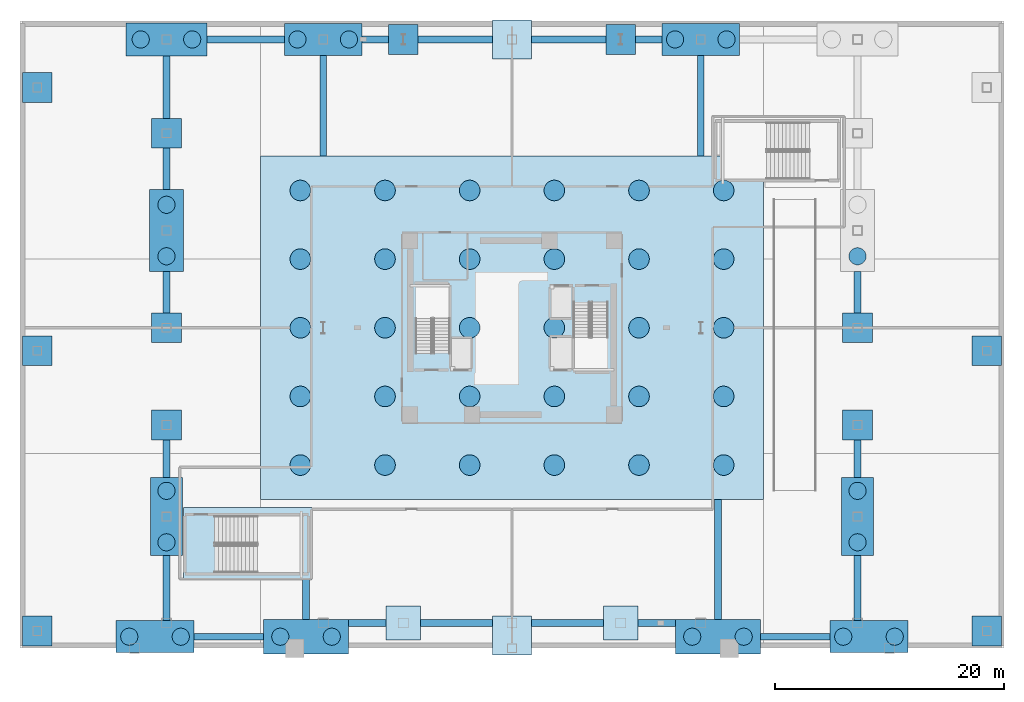
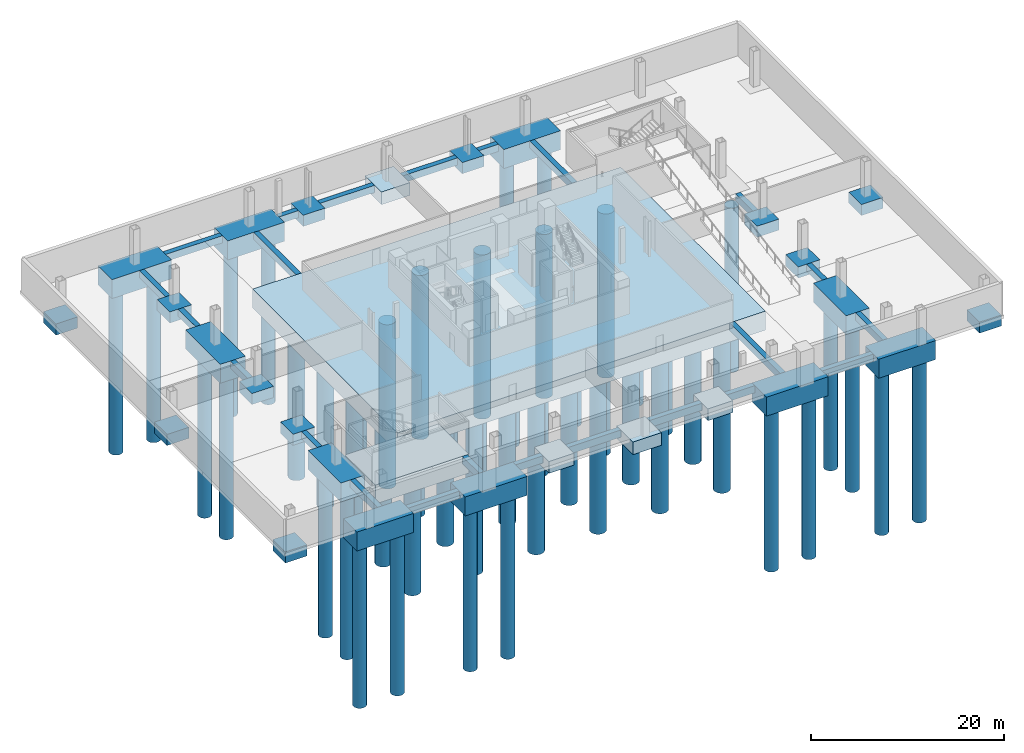
# One storey, part 1 of 15: 51 footings, 51 piles.
"""IFC4 building model written with IfcOpenShell, lengths in metres."""

from ifc_helpers import new_model, si_unit, direction, frame, origin, origin_2d, place, context, subcontext, project, spatial, polyline, rectangle, circle, outline, extrude, material, layer, layer_set, material_profile, profile_set, type_object, element, save


model = new_model("IFC4")

# Units and contexts
model_context = context("Model", 3, precision=1e-05, world=origin(), true_north=direction((0.0, 1.0)))
body_context = subcontext(model_context, "Body", "Model", "MODEL_VIEW")
ifc_project = project(units=[si_unit("LENGTHUNIT", "METRE"), si_unit("AREAUNIT", "SQUARE_METRE"), si_unit("VOLUMEUNIT", "CUBIC_METRE"), si_unit("PLANEANGLEUNIT", "RADIAN"), si_unit("MASSUNIT", "GRAM", prefix="KILO")], contexts=[model_context])

# Site, building, storey
site_placement = place(None, origin())
site = spatial("IfcSite", under=ifc_project, at=site_placement, CompositionType="ELEMENT")
building_placement = place(site_placement, origin())
building = spatial("IfcBuilding", under=site, at=building_placement, Name="Tharavind Bronze Gate", CompositionType="ELEMENT")
storey_placement = place(building_placement, frame((0.0, 0.0, -9.0)))
storey = spatial("IfcBuildingStorey", under=building, at=storey_placement, Name="B02", CompositionType="ELEMENT", Elevation=-9.0)

# Piles
ifc_material = material(Name="Concrete C50/60", Category="concrete")
ifc_material_profile_1 = material_profile(ifc_material, circle(Radius=0.75, at=origin_2d()), Name="PILE1500")
ifc_profile_set_1 = profile_set([ifc_material_profile_1], Name="Concrete C50/60")
pile_type_1 = type_object("IfcPileType", Name="BORED CONCRETE PILE 1500", PredefinedType="BORED", material=ifc_profile_set_1)
for number, where, z_axis, x_axis, name in (
    (1, (-33.449951171875, -27.0, -2.25), (0.0, 0.0, -1.0), (1.0, 0.0, 0.0), "Cap CAP-S1 bored pile A"),
    (2, (-28.949951171875, -27.0, -2.25), (0.0, 0.0, -1.0), (1.0, 0.0, 0.0), "Cap CAP-S1 bored pile B"),
    (3, (-20.25, -27.0, -2.25), (0.0, 0.0, -1.0), (1.0, 0.0, 0.0), "Cap CAP-S2 bored pile A"),
    (4, (-15.75, -27.0, -2.25), (0.0, 0.0, -1.0), (1.0, 0.0, 0.0), "Cap CAP-S2 bored pile B"),
    (5, (15.75, -27.0, -2.25), (0.0, 0.0, -1.0), (1.0, 0.0, 0.0), "Cap CAP-S3 bored pile A"),
    (6, (20.25, -27.0, -2.25), (0.0, 0.0, -1.0), (1.0, 0.0, 0.0), "Cap CAP-S3 bored pile B"),
    (7, (28.949951171875, -27.0, -2.25), (0.0, 0.0, -1.0), (1.0, 0.0, 0.0), "Cap CAP-S4 bored pile A"),
    (8, (33.449951171875, -27.0, -2.25), (0.0, 0.0, -1.0), (1.0, 0.0, 0.0), "Cap CAP-S4 bored pile B"),
    (9, (-32.449951171875, 25.199951171875, -2.25), (0.0, 0.0, -1.0), (1.0, 0.0, 0.0), "Cap CAP-N1 bored pile A"),
    (10, (-27.949951171875, 25.199951171875, -2.25), (0.0, 0.0, -1.0), (1.0, 0.0, 0.0), "Cap CAP-N1 bored pile B"),
    (11, (-18.75, 25.199951171875, -2.25), (0.0, 0.0, -1.0), (1.0, 0.0, 0.0), "Cap CAP-N2 bored pile A"),
    (12, (-14.25, 25.199951171875, -2.25), (0.0, 0.0, -1.0), (1.0, 0.0, 0.0), "Cap CAP-N2 bored pile B"),
    (13, (14.25, 25.199951171875, -2.25), (0.0, 0.0, -1.0), (1.0, 0.0, 0.0), "Cap CAP-N3 bored pile A"),
    (14, (18.75, 25.199951171875, -2.25), (0.0, 0.0, -1.0), (1.0, 0.0, 0.0), "Cap CAP-N3 bored pile B"),
    (15, (-30.199951171875, -18.75, -2.25), (0.0, 0.0, -1.0), (1.0, 0.0, 0.0), "Cap CAP-W1 bored pile A"),
    (16, (-30.199951171875, -14.25, -2.25), (0.0, 0.0, -1.0), (1.0, 0.0, 0.0), "Cap CAP-W1 bored pile B"),
    (17, (-30.199951171875, 6.25, -2.25), (0.0, 0.0, -1.0), (1.0, 0.0, 0.0), "Cap CAP-W2 bored pile A"),
    (18, (-30.199951171875, 10.75, -2.25), (0.0, 0.0, -1.0), (1.0, 0.0, 0.0), "Cap CAP-W2 bored pile B"),
    (19, (30.199951171875, -18.75, -2.25), (0.0, 0.0, -1.0), (1.0, 0.0, 0.0), "Cap CAP-E1 bored pile A"),
    (20, (30.199951171875, -14.25, -2.25), (0.0, 0.0, -1.0), (1.0, 0.0, 0.0), "Cap CAP-E1 bored pile B"),
    (21, (30.199951171875, 6.25, -2.25), (0.0, 0.0, -1.0), (1.0, 0.0, 0.0), "Cap CAP-E2 bored pile A"),
):
    element("IfcPile", number, at=place(storey_placement, frame(where, z_axis=z_axis, x_axis=x_axis)), inside=storey, type_object=pile_type_1, Name=name, PredefinedType="BORED", context=body_context, shape_type="SweptSolid", body=[
        extrude(circle(Radius=0.75, at=origin_2d()), origin(), (0.0, 0.0, 1.0), 20.75),
    ])
ifc_material_profile_2 = material_profile(ifc_material, circle(Radius=0.89990234375, at=origin_2d()), Name="PILE1800")
ifc_profile_set_2 = profile_set([ifc_material_profile_2], Name="Concrete C50/60")
pile_type_2 = type_object("IfcPileType", Name="BORED CONCRETE PILE 1800", PredefinedType="BORED", material=ifc_profile_set_2)
for number, where, z_axis, x_axis, name in (
    (22, (-18.5, -12.0, -2.25), (0.0, 0.0, -1.0), (1.0, 0.0, 0.0), "Mat bored pile 01"),
    (23, (-18.5, -6.0, -2.25), (0.0, 0.0, -1.0), (1.0, 0.0, 0.0), "Mat bored pile 02"),
    (24, (-18.5, 0.0, -2.25), (0.0, 0.0, -1.0), (1.0, 0.0, 0.0), "Mat bored pile 03"),
    (25, (-18.5, 6.0, -2.25), (0.0, 0.0, -1.0), (1.0, 0.0, 0.0), "Mat bored pile 04"),
    (26, (-18.5, 12.0, -2.25), (0.0, 0.0, -1.0), (1.0, 0.0, 0.0), "Mat bored pile 05"),
    (27, (-11.10009765625, -12.0, -2.25), (0.0, 0.0, -1.0), (1.0, 0.0, 0.0), "Mat bored pile 06"),
    (28, (-11.10009765625, -6.0, -2.25), (0.0, 0.0, -1.0), (1.0, 0.0, 0.0), "Mat bored pile 07"),
    (29, (-11.10009765625, 0.0, -2.25), (0.0, 0.0, -1.0), (1.0, 0.0, 0.0), "Mat bored pile 08"),
    (30, (-11.10009765625, 6.0, -2.25), (0.0, 0.0, -1.0), (1.0, 0.0, 0.0), "Mat bored pile 09"),
    (31, (-11.10009765625, 12.0, -2.25), (0.0, 0.0, -1.0), (1.0, 0.0, 0.0), "Mat bored pile 10"),
    (32, (-3.699951171875, -12.0, -2.25), (0.0, 0.0, -1.0), (1.0, 0.0, 0.0), "Mat bored pile 11"),
    (33, (-3.699951171875, -6.0, -2.25), (0.0, 0.0, -1.0), (1.0, 0.0, 0.0), "Mat bored pile 12"),
    (34, (-3.699951171875, 0.0, -2.25), (0.0, 0.0, -1.0), (1.0, 0.0, 0.0), "Mat bored pile 13"),
    (35, (-3.699951171875, 6.0, -2.25), (0.0, 0.0, -1.0), (1.0, 0.0, 0.0), "Mat bored pile 14"),
    (36, (-3.699951171875, 12.0, -2.25), (0.0, 0.0, -1.0), (1.0, 0.0, 0.0), "Mat bored pile 15"),
    (37, (3.699951171875, -12.0, -2.25), (0.0, 0.0, -1.0), (1.0, 0.0, 0.0), "Mat bored pile 16"),
    (38, (3.699951171875, -6.0, -2.25), (0.0, 0.0, -1.0), (1.0, 0.0, 0.0), "Mat bored pile 17"),
    (39, (3.699951171875, 0.0, -2.25), (0.0, 0.0, -1.0), (1.0, 0.0, 0.0), "Mat bored pile 18"),
    (40, (3.699951171875, 6.0, -2.25), (0.0, 0.0, -1.0), (1.0, 0.0, 0.0), "Mat bored pile 19"),
    (41, (3.699951171875, 12.0, -2.25), (0.0, 0.0, -1.0), (1.0, 0.0, 0.0), "Mat bored pile 20"),
    (42, (11.10009765625, -12.0, -2.25), (0.0, 0.0, -1.0), (1.0, 0.0, 0.0), "Mat bored pile 21"),
    (43, (11.10009765625, -6.0, -2.25), (0.0, 0.0, -1.0), (1.0, 0.0, 0.0), "Mat bored pile 22"),
    (44, (11.10009765625, 0.0, -2.25), (0.0, 0.0, -1.0), (1.0, 0.0, 0.0), "Mat bored pile 23"),
    (45, (11.10009765625, 6.0, -2.25), (0.0, 0.0, -1.0), (1.0, 0.0, 0.0), "Mat bored pile 24"),
    (46, (11.10009765625, 12.0, -2.25), (0.0, 0.0, -1.0), (1.0, 0.0, 0.0), "Mat bored pile 25"),
    (47, (18.5, -12.0, -2.25), (0.0, 0.0, -1.0), (1.0, 0.0, 0.0), "Mat bored pile 26"),
    (48, (18.5, -6.0, -2.25), (0.0, 0.0, -1.0), (1.0, 0.0, 0.0), "Mat bored pile 27"),
    (49, (18.5, 0.0, -2.25), (0.0, 0.0, -1.0), (1.0, 0.0, 0.0), "Mat bored pile 28"),
    (50, (18.5, 6.0, -2.25), (0.0, 0.0, -1.0), (1.0, 0.0, 0.0), "Mat bored pile 29"),
    (51, (18.5, 12.0, -2.25), (0.0, 0.0, -1.0), (1.0, 0.0, 0.0), "Mat bored pile 30"),
):
    element("IfcPile", number, at=place(storey_placement, frame(where, z_axis=z_axis, x_axis=x_axis)), inside=storey, type_object=pile_type_2, Name=name, PredefinedType="BORED", context=body_context, shape_type="SweptSolid", body=[
        extrude(circle(Radius=0.89990234375, at=origin_2d()), origin(), (0.0, 0.0, 1.0), 20.75),
    ])

# Footings
ifc_layer_1 = layer(ifc_material, 2.39990234375)
ifc_layer_set_1 = layer_set([ifc_layer_1], Name="Concrete C50/60")
footing_type_1 = type_object("IfcFootingType", Name="BORED PILE CAP 2800X6800X2400", PredefinedType="PILE_CAP", material=ifc_layer_set_1)
footing_1_placement = place(storey_placement, frame((0.0, 0.0, -2.39990234375)))
element("IfcFooting", 52, at=footing_1_placement, inside=storey, type_object=footing_type_1, Name="Perimeter bored pile cap CAP-W1", PredefinedType="PILE_CAP", context=body_context, shape_type="SweptSolid", body=[
    extrude(outline(polyline([(-31.60009765625, -19.89990234375), (-28.800048828125, -19.89990234375), (-28.800048828125, -13.10009765625), (-31.60009765625, -13.10009765625), (-31.60009765625, -19.89990234375)])), origin(), (0.0, 0.0, 1.0), 2.39990234375),
])
footing_2_placement = place(storey_placement, frame((0.0, 0.0, -2.39990234375)))
element("IfcFooting", 53, at=footing_2_placement, inside=storey, type_object=footing_type_1, Name="Perimeter bored pile cap CAP-E1", PredefinedType="PILE_CAP", context=body_context, shape_type="SweptSolid", body=[
    extrude(outline(polyline([(28.800048828125, -19.89990234375), (31.60009765625, -19.89990234375), (31.60009765625, -13.10009765625), (28.800048828125, -13.10009765625), (28.800048828125, -19.89990234375)])), origin(), (0.0, 0.0, 1.0), 2.39990234375),
])
ifc_layer_2 = layer(ifc_material, 2.39990234375)
ifc_layer_set_2 = layer_set([ifc_layer_2], Name="Concrete C50/60")
footing_type_2 = type_object("IfcFootingType", Name="BORED PILE CAP 3000X7200X2400", PredefinedType="PILE_CAP", material=ifc_layer_set_2)
footing_3_placement = place(storey_placement, frame((0.0, 0.0, -2.39990234375)))
element("IfcFooting", 54, at=footing_3_placement, inside=storey, type_object=footing_type_2, Name="Perimeter bored pile cap CAP-W2", PredefinedType="PILE_CAP", context=body_context, shape_type="SweptSolid", body=[
    extrude(outline(polyline([(-31.699951171875, 4.89990234375), (-28.699951171875, 4.89990234375), (-28.699951171875, 12.10009765625), (-31.699951171875, 12.10009765625), (-31.699951171875, 4.89990234375)])), origin(), (0.0, 0.0, 1.0), 2.39990234375),
])
ifc_layer_3 = layer(ifc_material, 2.39990234375)
ifc_layer_set_3 = layer_set([ifc_layer_3], Name="Concrete C50/60")
footing_type_3 = type_object("IfcFootingType", Name="BORED PILE CAP 6800X2800X2400", PredefinedType="PILE_CAP", material=ifc_layer_set_3)
footing_4_placement = place(storey_placement, frame((0.0, 0.0, -2.39990234375)))
element("IfcFooting", 55, at=footing_4_placement, inside=storey, type_object=footing_type_3, Name="Perimeter bored pile cap CAP-S1", PredefinedType="PILE_CAP", context=body_context, shape_type="SweptSolid", body=[
    extrude(outline(polyline([(-34.60009765625, -28.39990234375), (-27.800048828125, -28.39990234375), (-27.800048828125, -25.60009765625), (-34.60009765625, -25.60009765625), (-34.60009765625, -28.39990234375)])), origin(), (0.0, 0.0, 1.0), 2.39990234375),
])
footing_5_placement = place(storey_placement, frame((0.0, 0.0, -2.39990234375)))
element("IfcFooting", 56, at=footing_5_placement, inside=storey, type_object=footing_type_3, Name="Perimeter bored pile cap CAP-S4", PredefinedType="PILE_CAP", context=body_context, shape_type="SweptSolid", body=[
    extrude(outline(polyline([(27.800048828125, -28.39990234375), (34.60009765625, -28.39990234375), (34.60009765625, -25.60009765625), (27.800048828125, -25.60009765625), (27.800048828125, -28.39990234375)])), origin(), (0.0, 0.0, 1.0), 2.39990234375),
])
footing_6_placement = place(storey_placement, frame((0.0, 0.0, -2.39990234375)))
element("IfcFooting", 57, at=footing_6_placement, inside=storey, type_object=footing_type_3, Name="Perimeter bored pile cap CAP-N2", PredefinedType="PILE_CAP", context=body_context, shape_type="SweptSolid", body=[
    extrude(outline(polyline([(-19.89990234375, 23.800048828125), (-13.10009765625, 23.800048828125), (-13.10009765625, 26.60009765625), (-19.89990234375, 26.60009765625), (-19.89990234375, 23.800048828125)])), origin(), (0.0, 0.0, 1.0), 2.39990234375),
])
footing_7_placement = place(storey_placement, frame((0.0, 0.0, -2.39990234375)))
element("IfcFooting", 58, at=footing_7_placement, inside=storey, type_object=footing_type_3, Name="Perimeter bored pile cap CAP-N3", PredefinedType="PILE_CAP", context=body_context, shape_type="SweptSolid", body=[
    extrude(outline(polyline([(13.10009765625, 23.800048828125), (19.89990234375, 23.800048828125), (19.89990234375, 26.60009765625), (13.10009765625, 26.60009765625), (13.10009765625, 23.800048828125)])), origin(), (0.0, 0.0, 1.0), 2.39990234375),
])
ifc_layer_4 = layer(ifc_material, 2.39990234375)
ifc_layer_set_4 = layer_set([ifc_layer_4], Name="Concrete C50/60")
footing_type_4 = type_object("IfcFootingType", Name="BORED PILE CAP 7100X2900X2400", PredefinedType="PILE_CAP", material=ifc_layer_set_4)
footing_8_placement = place(storey_placement, frame((0.0, 0.0, -2.39990234375)))
element("IfcFooting", 59, at=footing_8_placement, inside=storey, type_object=footing_type_4, Name="Perimeter bored pile cap CAP-N1", PredefinedType="PILE_CAP", context=body_context, shape_type="SweptSolid", body=[
    extrude(outline(polyline([(-33.75, 23.75), (-26.64990234375, 23.75), (-26.64990234375, 26.64990234375), (-33.75, 26.64990234375), (-33.75, 23.75)])), origin(), (0.0, 0.0, 1.0), 2.39990234375),
])
ifc_layer_5 = layer(ifc_material, 2.39990234375)
ifc_layer_set_5 = layer_set([ifc_layer_5], Name="Concrete C50/60")
footing_type_5 = type_object("IfcFootingType", Name="BORED PILE CAP 7400X3000X2400", PredefinedType="PILE_CAP", material=ifc_layer_set_5)
footing_9_placement = place(storey_placement, frame((0.0, 0.0, -2.39990234375)))
element("IfcFooting", 60, at=footing_9_placement, inside=storey, type_object=footing_type_5, Name="Perimeter bored pile cap CAP-S2", PredefinedType="PILE_CAP", context=body_context, shape_type="SweptSolid", body=[
    extrude(outline(polyline([(-21.699951171875, -28.5), (-14.300048828125, -28.5), (-14.300048828125, -25.5), (-21.699951171875, -25.5), (-21.699951171875, -28.5)])), origin(), (0.0, 0.0, 1.0), 2.39990234375),
])
footing_10_placement = place(storey_placement, frame((0.0, 0.0, -2.39990234375)))
element("IfcFooting", 61, at=footing_10_placement, inside=storey, type_object=footing_type_5, Name="Perimeter bored pile cap CAP-S3", PredefinedType="PILE_CAP", context=body_context, shape_type="SweptSolid", body=[
    extrude(outline(polyline([(14.300048828125, -28.5), (21.699951171875, -28.5), (21.699951171875, -25.5), (14.300048828125, -25.5), (14.300048828125, -28.5)])), origin(), (0.0, 0.0, 1.0), 2.39990234375),
])
ifc_material_profile_3 = material_profile(ifc_material, rectangle(XDim=0.60009765625, YDim=0.89990234375, at=origin_2d()), Name="RCBM600X900")
ifc_profile_set_3 = profile_set([ifc_material_profile_3], Name="Concrete C50/60")
footing_type_6 = type_object("IfcFootingType", Name="FOUNDATION GRADE BEAM 600X900", PredefinedType="FOOTING_BEAM", material=ifc_profile_set_3)
footing_11_placement = place(storey_placement, frame((-27.800048828125, -27.0, -0.449951171875), z_axis=(1.0, 0.0, 0.0), x_axis=(0.0, 1.0, 0.0)))
element("IfcFooting", 62, at=footing_11_placement, inside=storey, type_object=footing_type_6, Name="Foundation grade beam GB-S1", PredefinedType="FOOTING_BEAM", context=body_context, shape_type="SweptSolid", body=[
    extrude(rectangle(XDim=0.60009765625, YDim=0.89990234375, at=origin_2d()), origin(), (0.0, 0.0, 1.0), 6.10009765625),
])
footing_12_placement = place(storey_placement, frame((-14.300048828125, -25.800048828125, -0.449951171875), z_axis=(1.0, 0.0, 0.0), x_axis=(0.0, 1.0, 0.0)))
element("IfcFooting", 63, at=footing_12_placement, inside=storey, type_object=footing_type_6, Name="Foundation grade beam GB-S2", PredefinedType="FOOTING_BEAM", context=body_context, shape_type="SweptSolid", body=[
    extrude(rectangle(XDim=0.60009765625, YDim=0.89990234375, at=origin_2d()), origin(), (0.0, 0.0, 1.0), 3.300048828125),
])
for number, where, z_axis, x_axis, name in (
    (64, (-8.0, -25.800048828125, -0.449951171875), (1.0, 0.0, 0.0), (0.0, 1.0, 0.0), "Foundation grade beam GB-S3"),
    (65, (1.699951171875, -25.800048828125, -0.449951171875), (1.0, 0.0, 0.0), (0.0, 1.0, 0.0), "Foundation grade beam GB-S4"),
):
    element("IfcFooting", number, at=place(storey_placement, frame(where, z_axis=z_axis, x_axis=x_axis)), inside=storey, type_object=footing_type_6, Name=name, PredefinedType="FOOTING_BEAM", context=body_context, shape_type="SweptSolid", body=[
        extrude(rectangle(XDim=0.60009765625, YDim=0.89990234375, at=origin_2d()), origin(), (0.0, 0.0, 1.0), 6.300048828125),
    ])
footing_13_placement = place(storey_placement, frame((11.0, -25.800048828125, -0.449951171875), z_axis=(1.0, 0.0, 0.0), x_axis=(0.0, 1.0, 0.0)))
element("IfcFooting", 66, at=footing_13_placement, inside=storey, type_object=footing_type_6, Name="Foundation grade beam GB-S5", PredefinedType="FOOTING_BEAM", context=body_context, shape_type="SweptSolid", body=[
    extrude(rectangle(XDim=0.60009765625, YDim=0.89990234375, at=origin_2d()), origin(), (0.0, 0.0, 1.0), 3.300048828125),
])
footing_14_placement = place(storey_placement, frame((21.699951171875, -27.0, -0.449951171875), z_axis=(1.0, 0.0, 0.0), x_axis=(0.0, 1.0, 0.0)))
element("IfcFooting", 67, at=footing_14_placement, inside=storey, type_object=footing_type_6, Name="Foundation grade beam GB-S6", PredefinedType="FOOTING_BEAM", context=body_context, shape_type="SweptSolid", body=[
    extrude(rectangle(XDim=0.60009765625, YDim=0.89990234375, at=origin_2d()), origin(), (0.0, 0.0, 1.0), 6.10009765625),
])
footing_15_placement = place(storey_placement, frame((-26.64990234375, 25.199951171875, -0.449951171875), z_axis=(1.0, 0.0, 0.0), x_axis=(0.0, 1.0, 0.0)))
element("IfcFooting", 68, at=footing_15_placement, inside=storey, type_object=footing_type_6, Name="Foundation grade beam GB-N1", PredefinedType="FOOTING_BEAM", context=body_context, shape_type="SweptSolid", body=[
    extrude(rectangle(XDim=0.60009765625, YDim=0.89990234375, at=origin_2d()), origin(), (0.0, 0.0, 1.0), 6.75),
])
footing_16_placement = place(storey_placement, frame((-13.10009765625, 25.199951171875, -0.449951171875), z_axis=(1.0, 0.0, 0.0), x_axis=(0.0, 1.0, 0.0)))
element("IfcFooting", 69, at=footing_16_placement, inside=storey, type_object=footing_type_6, Name="Foundation grade beam GB-N2", PredefinedType="FOOTING_BEAM", context=body_context, shape_type="SweptSolid", body=[
    extrude(rectangle(XDim=0.60009765625, YDim=0.89990234375, at=origin_2d()), origin(), (0.0, 0.0, 1.0), 2.300048828125),
])
for number, where, z_axis, x_axis, name in (
    (70, (-8.199951171875, 25.199951171875, -0.449951171875), (1.0, 0.0, 0.0), (0.0, 1.0, 0.0), "Foundation grade beam GB-N3"),
    (71, (1.699951171875, 25.199951171875, -0.449951171875), (1.0, 0.0, 0.0), (0.0, 1.0, 0.0), "Foundation grade beam GB-N4"),
):
    element("IfcFooting", number, at=place(storey_placement, frame(where, z_axis=z_axis, x_axis=x_axis)), inside=storey, type_object=footing_type_6, Name=name, PredefinedType="FOOTING_BEAM", context=body_context, shape_type="SweptSolid", body=[
        extrude(rectangle(XDim=0.60009765625, YDim=0.89990234375, at=origin_2d()), origin(), (0.0, 0.0, 1.0), 6.5),
    ])
footing_17_placement = place(storey_placement, frame((10.800048828125, 25.199951171875, -0.449951171875), z_axis=(1.0, 0.0, 0.0), x_axis=(0.0, 1.0, 0.0)))
element("IfcFooting", 72, at=footing_17_placement, inside=storey, type_object=footing_type_6, Name="Foundation grade beam GB-N5", PredefinedType="FOOTING_BEAM", context=body_context, shape_type="SweptSolid", body=[
    extrude(rectangle(XDim=0.60009765625, YDim=0.89990234375, at=origin_2d()), origin(), (0.0, 0.0, 1.0), 2.300048828125),
])
footing_18_placement = place(storey_placement, frame((-30.199951171875, -25.60009765625, -0.449951171875), z_axis=(0.0, 1.0, 0.0), x_axis=(-1.0, 0.0, 0.0)))
element("IfcFooting", 73, at=footing_18_placement, inside=storey, type_object=footing_type_6, Name="Foundation grade beam GB-W1", PredefinedType="FOOTING_BEAM", context=body_context, shape_type="SweptSolid", body=[
    extrude(rectangle(XDim=0.60009765625, YDim=0.89990234375, at=origin_2d()), origin(), (0.0, 0.0, 1.0), 5.7001953125),
])
footing_19_placement = place(storey_placement, frame((-30.199951171875, -13.10009765625, -0.449951171875), z_axis=(0.0, 1.0, 0.0), x_axis=(-1.0, 0.0, 0.0)))
element("IfcFooting", 74, at=footing_19_placement, inside=storey, type_object=footing_type_6, Name="Foundation grade beam GB-W2", PredefinedType="FOOTING_BEAM", context=body_context, shape_type="SweptSolid", body=[
    extrude(rectangle(XDim=0.60009765625, YDim=0.89990234375, at=origin_2d()), origin(), (0.0, 0.0, 1.0), 3.300048828125),
])
for number, where, z_axis, x_axis, name in (
    (75, (-30.199951171875, 1.300048828125, -0.449951171875), (0.0, 1.0, 0.0), (-1.0, 0.0, 0.0), "Foundation grade beam GB-W3"),
    (76, (-30.199951171875, 12.10009765625, -0.449951171875), (0.0, 1.0, 0.0), (-1.0, 0.0, 0.0), "Foundation grade beam GB-W4A"),
):
    element("IfcFooting", number, at=place(storey_placement, frame(where, z_axis=z_axis, x_axis=x_axis)), inside=storey, type_object=footing_type_6, Name=name, PredefinedType="FOOTING_BEAM", context=body_context, shape_type="SweptSolid", body=[
        extrude(rectangle(XDim=0.60009765625, YDim=0.89990234375, at=origin_2d()), origin(), (0.0, 0.0, 1.0), 3.599853515625),
    ])
footing_20_placement = place(storey_placement, frame((-30.199951171875, 18.300048828125, -0.449951171875), z_axis=(0.0, 1.0, 0.0), x_axis=(-1.0, 0.0, 0.0)))
element("IfcFooting", 77, at=footing_20_placement, inside=storey, type_object=footing_type_6, Name="Foundation grade beam GB-W4B", PredefinedType="FOOTING_BEAM", context=body_context, shape_type="SweptSolid", body=[
    extrude(rectangle(XDim=0.60009765625, YDim=0.89990234375, at=origin_2d()), origin(), (0.0, 0.0, 1.0), 5.449951171875),
])
footing_21_placement = place(storey_placement, frame((30.199951171875, -25.60009765625, -0.449951171875), z_axis=(0.0, 1.0, 0.0), x_axis=(-1.0, 0.0, 0.0)))
element("IfcFooting", 78, at=footing_21_placement, inside=storey, type_object=footing_type_6, Name="Foundation grade beam GB-E1", PredefinedType="FOOTING_BEAM", context=body_context, shape_type="SweptSolid", body=[
    extrude(rectangle(XDim=0.60009765625, YDim=0.89990234375, at=origin_2d()), origin(), (0.0, 0.0, 1.0), 5.7001953125),
])
footing_22_placement = place(storey_placement, frame((30.199951171875, -13.10009765625, -0.449951171875), z_axis=(0.0, 1.0, 0.0), x_axis=(-1.0, 0.0, 0.0)))
element("IfcFooting", 79, at=footing_22_placement, inside=storey, type_object=footing_type_6, Name="Foundation grade beam GB-E2", PredefinedType="FOOTING_BEAM", context=body_context, shape_type="SweptSolid", body=[
    extrude(rectangle(XDim=0.60009765625, YDim=0.89990234375, at=origin_2d()), origin(), (0.0, 0.0, 1.0), 3.300048828125),
])
footing_23_placement = place(storey_placement, frame((30.199951171875, 1.300048828125, -0.449951171875), z_axis=(0.0, 1.0, 0.0), x_axis=(-1.0, 0.0, 0.0)))
element("IfcFooting", 80, at=footing_23_placement, inside=storey, type_object=footing_type_6, Name="Foundation grade beam GB-E3", PredefinedType="FOOTING_BEAM", context=body_context, shape_type="SweptSolid", body=[
    extrude(rectangle(XDim=0.60009765625, YDim=0.89990234375, at=origin_2d()), origin(), (0.0, 0.0, 1.0), 3.599853515625),
])
footing_24_placement = place(storey_placement, frame((-18.0, -25.5, -0.449951171875), z_axis=(0.0, 1.0, 0.0), x_axis=(-1.0, 0.0, 0.0)))
element("IfcFooting", 81, at=footing_24_placement, inside=storey, type_object=footing_type_6, Name="Foundation grade beam GB-RS2", PredefinedType="FOOTING_BEAM", context=body_context, shape_type="SweptSolid", body=[
    extrude(rectangle(XDim=0.60009765625, YDim=0.89990234375, at=origin_2d()), origin(), (0.0, 0.0, 1.0), 3.5),
])
footing_25_placement = place(storey_placement, frame((18.0, -25.5, -0.449951171875), z_axis=(0.0, 1.0, 0.0), x_axis=(-1.0, 0.0, 0.0)))
element("IfcFooting", 82, at=footing_25_placement, inside=storey, type_object=footing_type_6, Name="Foundation grade beam GB-RS3", PredefinedType="FOOTING_BEAM", context=body_context, shape_type="SweptSolid", body=[
    extrude(rectangle(XDim=0.60009765625, YDim=0.89990234375, at=origin_2d()), origin(), (0.0, 0.0, 1.0), 10.5),
])
for number, where, z_axis, x_axis, name in (
    (83, (-16.5, 15.0, -0.449951171875), (0.0, 1.0, 0.0), (-1.0, 0.0, 0.0), "Foundation grade beam GB-RN2"),
    (84, (16.5, 15.0, -0.449951171875), (0.0, 1.0, 0.0), (-1.0, 0.0, 0.0), "Foundation grade beam GB-RN3"),
):
    element("IfcFooting", number, at=place(storey_placement, frame(where, z_axis=z_axis, x_axis=x_axis)), inside=storey, type_object=footing_type_6, Name=name, PredefinedType="FOOTING_BEAM", context=body_context, shape_type="SweptSolid", body=[
        extrude(rectangle(XDim=0.60009765625, YDim=0.89990234375, at=origin_2d()), origin(), (0.0, 0.0, 1.0), 8.800048828125),
    ])
ifc_layer_6 = layer(ifc_material, 1.39990234375)
ifc_layer_set_6 = layer_set([ifc_layer_6], Name="Concrete C50/60")
footing_type_7 = type_object("IfcFootingType", Name="PAD FOOTING 2600X2600X1400", PredefinedType="PAD_FOOTING", material=ifc_layer_set_6)
footing_26_placement = place(storey_placement, frame((0.0, 0.0, -1.39990234375)))
element("IfcFooting", 85, at=footing_26_placement, inside=storey, type_object=footing_type_7, Name="Podium pad footing PAD-NL", PredefinedType="PAD_FOOTING", context=body_context, shape_type="SweptSolid", body=[
    extrude(outline(polyline([(-10.800048828125, 23.89990234375), (-8.199951171875, 23.89990234375), (-8.199951171875, 26.5), (-10.800048828125, 26.5), (-10.800048828125, 23.89990234375)])), origin(), (0.0, 0.0, 1.0), 1.39990234375),
])
footing_27_placement = place(storey_placement, frame((0.0, 0.0, -1.39990234375)))
element("IfcFooting", 86, at=footing_27_placement, inside=storey, type_object=footing_type_7, Name="Podium pad footing PAD-NR", PredefinedType="PAD_FOOTING", context=body_context, shape_type="SweptSolid", body=[
    extrude(outline(polyline([(8.199951171875, 23.89990234375), (10.800048828125, 23.89990234375), (10.800048828125, 26.5), (8.199951171875, 26.5), (8.199951171875, 23.89990234375)])), origin(), (0.0, 0.0, 1.0), 1.39990234375),
])
footing_28_placement = place(storey_placement, frame((0.0, 0.0, -1.39990234375)))
element("IfcFooting", 87, at=footing_28_placement, inside=storey, type_object=footing_type_7, Name="Podium pad footing PAD-WM", PredefinedType="PAD_FOOTING", context=body_context, shape_type="SweptSolid", body=[
    extrude(outline(polyline([(-31.5, -9.800048828125), (-28.89990234375, -9.800048828125), (-28.89990234375, -7.199951171875), (-31.5, -7.199951171875), (-31.5, -9.800048828125)])), origin(), (0.0, 0.0, 1.0), 1.39990234375),
])
footing_29_placement = place(storey_placement, frame((0.0, 0.0, -1.39990234375)))
element("IfcFooting", 88, at=footing_29_placement, inside=storey, type_object=footing_type_7, Name="Podium pad footing PAD-W0", PredefinedType="PAD_FOOTING", context=body_context, shape_type="SweptSolid", body=[
    extrude(outline(polyline([(-31.5, -1.300048828125), (-28.89990234375, -1.300048828125), (-28.89990234375, 1.300048828125), (-31.5, 1.300048828125), (-31.5, -1.300048828125)])), origin(), (0.0, 0.0, 1.0), 1.39990234375),
])
footing_30_placement = place(storey_placement, frame((0.0, 0.0, -1.39990234375)))
element("IfcFooting", 89, at=footing_30_placement, inside=storey, type_object=footing_type_7, Name="Podium pad footing PAD-EM", PredefinedType="PAD_FOOTING", context=body_context, shape_type="SweptSolid", body=[
    extrude(outline(polyline([(28.89990234375, -9.800048828125), (31.5, -9.800048828125), (31.5, -7.199951171875), (28.89990234375, -7.199951171875), (28.89990234375, -9.800048828125)])), origin(), (0.0, 0.0, 1.0), 1.39990234375),
])
footing_31_placement = place(storey_placement, frame((0.0, 0.0, -1.39990234375)))
element("IfcFooting", 90, at=footing_31_placement, inside=storey, type_object=footing_type_7, Name="Podium pad footing PAD-E0", PredefinedType="PAD_FOOTING", context=body_context, shape_type="SweptSolid", body=[
    extrude(outline(polyline([(28.89990234375, -1.300048828125), (31.5, -1.300048828125), (31.5, 1.300048828125), (28.89990234375, 1.300048828125), (28.89990234375, -1.300048828125)])), origin(), (0.0, 0.0, 1.0), 1.39990234375),
])
footing_32_placement = place(storey_placement, frame((0.0, 0.0, -1.39990234375)))
element("IfcFooting", 91, at=footing_32_placement, inside=storey, type_object=footing_type_7, Name="Podium pad footing PAD-WN", PredefinedType="PAD_FOOTING", context=body_context, shape_type="SweptSolid", body=[
    extrude(outline(polyline([(-31.5, 15.699951171875), (-28.89990234375, 15.699951171875), (-28.89990234375, 18.300048828125), (-31.5, 18.300048828125), (-31.5, 15.699951171875)])), origin(), (0.0, 0.0, 1.0), 1.39990234375),
])
footing_33_placement = place(storey_placement, frame((0.0, 0.0, -1.39990234375)))
element("IfcFooting", 92, at=footing_33_placement, inside=storey, type_object=footing_type_7, Name="Podium pad footing PAD-BW1", PredefinedType="PAD_FOOTING", context=body_context, shape_type="SweptSolid", body=[
    extrude(outline(polyline([(-42.800048828125, -27.800048828125), (-40.199951171875, -27.800048828125), (-40.199951171875, -25.199951171875), (-42.800048828125, -25.199951171875), (-42.800048828125, -27.800048828125)])), origin(), (0.0, 0.0, 1.0), 1.39990234375),
])
footing_34_placement = place(storey_placement, frame((0.0, 0.0, -1.39990234375)))
element("IfcFooting", 93, at=footing_34_placement, inside=storey, type_object=footing_type_7, Name="Podium pad footing PAD-BW2", PredefinedType="PAD_FOOTING", context=body_context, shape_type="SweptSolid", body=[
    extrude(outline(polyline([(-42.800048828125, -3.300048828125), (-40.199951171875, -3.300048828125), (-40.199951171875, -0.699951171875), (-42.800048828125, -0.699951171875), (-42.800048828125, -3.300048828125)])), origin(), (0.0, 0.0, 1.0), 1.39990234375),
])
footing_35_placement = place(storey_placement, frame((0.0, 0.0, -1.39990234375)))
element("IfcFooting", 94, at=footing_35_placement, inside=storey, type_object=footing_type_7, Name="Podium pad footing PAD-BW3", PredefinedType="PAD_FOOTING", context=body_context, shape_type="SweptSolid", body=[
    extrude(outline(polyline([(-42.800048828125, 19.699951171875), (-40.199951171875, 19.699951171875), (-40.199951171875, 22.300048828125), (-42.800048828125, 22.300048828125), (-42.800048828125, 19.699951171875)])), origin(), (0.0, 0.0, 1.0), 1.39990234375),
])
footing_36_placement = place(storey_placement, frame((0.0, 0.0, -1.39990234375)))
element("IfcFooting", 95, at=footing_36_placement, inside=storey, type_object=footing_type_7, Name="Podium pad footing PAD-BE1", PredefinedType="PAD_FOOTING", context=body_context, shape_type="SweptSolid", body=[
    extrude(outline(polyline([(40.199951171875, -27.800048828125), (42.800048828125, -27.800048828125), (42.800048828125, -25.199951171875), (40.199951171875, -25.199951171875), (40.199951171875, -27.800048828125)])), origin(), (0.0, 0.0, 1.0), 1.39990234375),
])
footing_37_placement = place(storey_placement, frame((0.0, 0.0, -1.39990234375)))
element("IfcFooting", 96, at=footing_37_placement, inside=storey, type_object=footing_type_7, Name="Podium pad footing PAD-BE2", PredefinedType="PAD_FOOTING", context=body_context, shape_type="SweptSolid", body=[
    extrude(outline(polyline([(40.199951171875, -3.300048828125), (42.800048828125, -3.300048828125), (42.800048828125, -0.699951171875), (40.199951171875, -0.699951171875), (40.199951171875, -3.300048828125)])), origin(), (0.0, 0.0, 1.0), 1.39990234375),
])
ifc_layer_7 = layer(ifc_material, 1.5)
ifc_layer_set_7 = layer_set([ifc_layer_7], Name="Concrete C50/60")
footing_type_8 = type_object("IfcFootingType", Name="PAD FOOTING 3000X3000X1500", PredefinedType="PAD_FOOTING", material=ifc_layer_set_7)
footing_38_placement = place(storey_placement, frame((0.0, 0.0, -1.5)))
element("IfcFooting", 97, at=footing_38_placement, inside=storey, type_object=footing_type_8, Name="Podium pad footing PAD-SL", PredefinedType="PAD_FOOTING", context=body_context, shape_type="SweptSolid", body=[
    extrude(outline(polyline([(-11.0, -27.300048828125), (-8.0, -27.300048828125), (-8.0, -24.300048828125), (-11.0, -24.300048828125), (-11.0, -27.300048828125)])), origin(), (0.0, 0.0, 1.0), 1.5),
])
footing_39_placement = place(storey_placement, frame((0.0, 0.0, -1.5)))
element("IfcFooting", 98, at=footing_39_placement, inside=storey, type_object=footing_type_8, Name="Podium pad footing PAD-SR", PredefinedType="PAD_FOOTING", context=body_context, shape_type="SweptSolid", body=[
    extrude(outline(polyline([(8.0, -27.300048828125), (11.0, -27.300048828125), (11.0, -24.300048828125), (8.0, -24.300048828125), (8.0, -27.300048828125)])), origin(), (0.0, 0.0, 1.0), 1.5),
])
ifc_layer_8 = layer(ifc_material, 1.60009765625)
ifc_layer_set_8 = layer_set([ifc_layer_8], Name="Concrete C50/60")
footing_type_9 = type_object("IfcFootingType", Name="PAD FOOTING 3400X3400X1600", PredefinedType="PAD_FOOTING", material=ifc_layer_set_8)
footing_40_placement = place(storey_placement, frame((0.0, 0.0, -1.60009765625)))
element("IfcFooting", 99, at=footing_40_placement, inside=storey, type_object=footing_type_9, Name="Podium pad footing PAD-S0", PredefinedType="PAD_FOOTING", context=body_context, shape_type="SweptSolid", body=[
    extrude(outline(polyline([(-1.699951171875, -28.60009765625), (1.699951171875, -28.60009765625), (1.699951171875, -25.199951171875), (-1.699951171875, -25.199951171875), (-1.699951171875, -28.60009765625)])), origin(), (0.0, 0.0, 1.0), 1.60009765625),
])
footing_41_placement = place(storey_placement, frame((0.0, 0.0, -1.60009765625)))
element("IfcFooting", 100, at=footing_41_placement, inside=storey, type_object=footing_type_9, Name="Podium pad footing PAD-N0", PredefinedType="PAD_FOOTING", context=body_context, shape_type="SweptSolid", body=[
    extrude(outline(polyline([(-1.699951171875, 23.5), (1.699951171875, 23.5), (1.699951171875, 26.89990234375), (-1.699951171875, 26.89990234375), (-1.699951171875, 23.5)])), origin(), (0.0, 0.0, 1.0), 1.60009765625),
])
ifc_layer_9 = layer(ifc_material, 2.39990234375)
ifc_layer_set_9 = layer_set([ifc_layer_9], Name="Concrete C50/60")
footing_type_10 = type_object("IfcFootingType", Name="PILED MAT FOOTING 44000X30000X2400", PredefinedType="PAD_FOOTING", material=ifc_layer_set_9)
footing_42_placement = place(storey_placement, frame((0.0, 0.0, -2.39990234375)))
element("IfcFooting", 101, at=footing_42_placement, inside=storey, type_object=footing_type_10, Name="Central tower piled mat footing", PredefinedType="PAD_FOOTING", context=body_context, shape_type="SweptSolid", body=[
    extrude(outline(polyline([(-22.0, -15.0), (22.0, -15.0), (22.0, 15.0), (-22.0, 15.0), (-22.0, -15.0)])), origin(), (0.0, 0.0, 1.0), 2.39990234375),
])
ifc_layer_10 = layer(ifc_material, 2.39990234375)
ifc_layer_set_10 = layer_set([ifc_layer_10], Name="Concrete C50/60")
footing_type_11 = type_object("IfcFootingType", Name="PILED MAT FOOTING STAIR 11200X6300X2400", PredefinedType="PAD_FOOTING", material=ifc_layer_set_10)
footing_43_placement = place(storey_placement, frame((0.0, 0.0, -2.39990234375)))
element("IfcFooting", 102, at=footing_43_placement, inside=storey, type_object=footing_type_11, Name="Podium stair ST3 mat footing", PredefinedType="PAD_FOOTING", context=body_context, shape_type="SweptSolid", body=[
    extrude(outline(polyline([(-28.699951171875, -22.0), (-17.5, -22.0), (-17.5, -15.699951171875), (-28.699951171875, -15.699951171875), (-28.699951171875, -22.0)])), origin(), (0.0, 0.0, 1.0), 2.39990234375),
])

save(model, "model.ifc")
